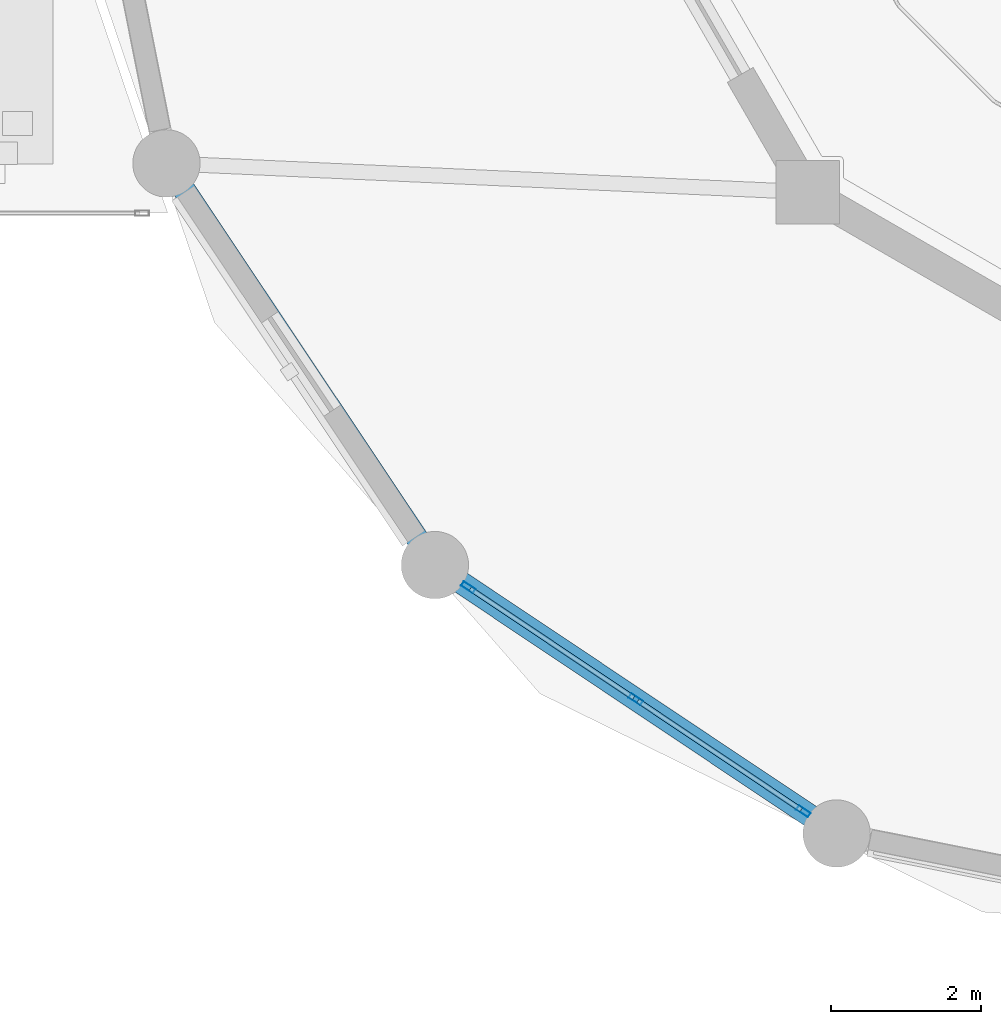
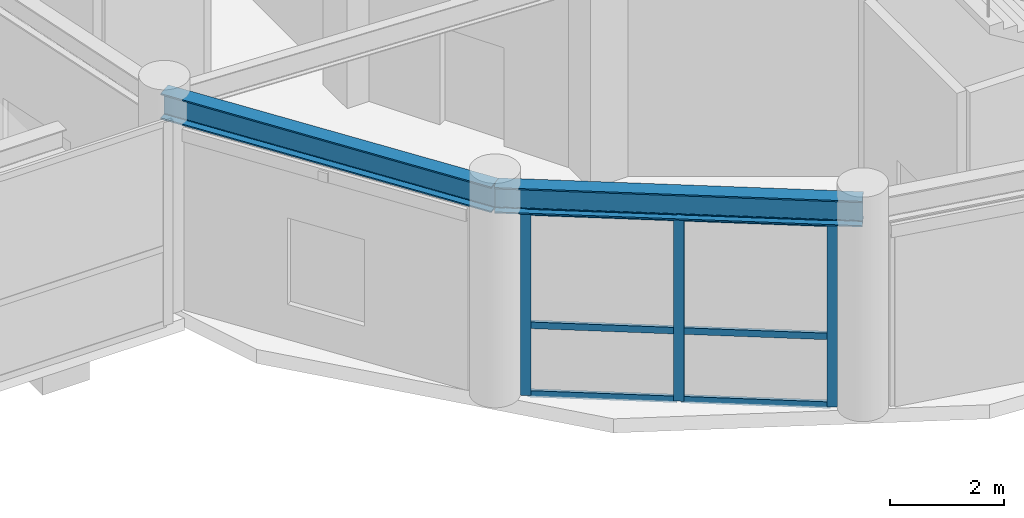
# One storey, part 19 of 44: 9 members, 2 beams, 1 element without a shape of its own.
"""IFC4 building model written with IfcOpenShell, lengths in metres."""

from ifc_helpers import new_model, si_unit, derived_unit, direction, frame, origin, origin_2d, place, context, subcontext, project, spatial, hollow_rectangle, i_section, extrude, source, transform, mapped, material, layer, layer_set, material_profile, profile_set, type_object, element, aggregate, save


model = new_model("IFC4")

# Units and contexts
model_context = context("Model", 3, precision=1e-05, world=origin(), true_north=direction((0.0, 1.0)))
body_context = subcontext(model_context, "Body", "Model", "MODEL_VIEW")
ifc_project = project(units=[si_unit("LENGTHUNIT", "METRE"), si_unit("AREAUNIT", "SQUARE_METRE"), si_unit("VOLUMEUNIT", "CUBIC_METRE"), si_unit("PLANEANGLEUNIT", "RADIAN"), si_unit("MASSUNIT", "GRAM", prefix="KILO"), derived_unit("THERMALTRANSMITTANCEUNIT", [(si_unit("POWERUNIT", "WATT"), 1), (si_unit("LENGTHUNIT", "METRE"), -2), (si_unit("THERMODYNAMICTEMPERATUREUNIT", "KELVIN"), -1)])], contexts=[model_context])

# Site, building, storey
site_placement = place(None, origin())
site = spatial("IfcSite", under=ifc_project, at=site_placement, CompositionType="ELEMENT")
building_placement = place(site_placement, origin())
building = spatial("IfcBuilding", under=site, at=building_placement, Name="Korsvarv Bourse and Concert Hall", CompositionType="ELEMENT")
storey_placement = place(building_placement, frame((0.0, 0.0, 9.60009765625)))
storey = spatial("IfcBuildingStorey", under=building, at=storey_placement, Name="L02", CompositionType="ELEMENT", Elevation=9.60009765625)

# Beams
ifc_material_1 = material(Name="Steel S355", Category="steel")
ifc_material_profile_1 = material_profile(ifc_material_1, i_section(OverallWidth=0.300048828125, OverallDepth=0.550048828125, WebThickness=0.014892578125, FlangeThickness=0.029052734375, FilletRadius=0.02392578125, at=origin_2d()), Name="HEB 550")
ifc_profile_set_1 = profile_set([ifc_material_profile_1], Name="Steel S355")
beam_type = type_object("IfcBeamType", Name="BM-HEB550", PredefinedType="BEAM", material=ifc_profile_set_1)
shared_shape_1 = source(origin(), body_context, "Body", "SweptSolid", [
    extrude(i_section(OverallWidth=0.300048828125, OverallDepth=0.550048828125, WebThickness=0.014892578125, FlangeThickness=0.029052734375, FilletRadius=0.02392578125, at=origin_2d()), origin(), (0.0, 0.0, 1.0), 6.45751953125),
])
for number, where, z_axis, x_axis, name in (
    (1, (91.509765625, 29.66650390625, 4.224853515625), (0.55558109052, -0.83146235745, 0.0), (0.83146235745, 0.55558109052, 0.0), "L02 beam B-06"),
    (2, (95.097412109375, 24.29736328125, 4.224853515625), (0.83146235745, -0.55558109052, 0.0), (0.55558109052, 0.83146235745, 0.0), "L02 beam B-06"),
):
    element("IfcBeam", number, at=place(storey_placement, frame(where, z_axis=z_axis, x_axis=x_axis)), inside=storey, type_object=beam_type, Name=name, PredefinedType="BEAM", context=body_context, shape_type="MappedRepresentation", body=[
        mapped(shared_shape_1, transform((0.0, 0.0, 0.0), scale=1.0)),
    ])

# Curtain wall, members
ifc_material_2 = material(Name="Anodised aluminium and triple low-E glazing", Category="glass")
ifc_layer = layer(ifc_material_2, 0.22998046875)
ifc_layer_set = layer_set([ifc_layer], Name="Anodised aluminium and triple low-E glazing")
curtain_wall_type = type_object("IfcCurtainWallType", Name="CW-SYS-6", PredefinedType="NOTDEFINED", material=ifc_layer_set)
curtain_wall_placement = place(storey_placement, origin())
curtain_wall = element("IfcCurtainWall", 3, at=curtain_wall_placement, inside=storey, type_object=curtain_wall_type, Name="L02 CW6 curtain wall CW-L02-CH11", PredefinedType="NOTDEFINED")
ifc_material_3 = material(Name="Extruded aluminium EN AW-6063 T66", Category="aluminium")
ifc_material_profile_2 = material_profile(ifc_material_3, hollow_rectangle(XDim=0.06494140625, YDim=0.139892578125, WallThickness=0.00390625, at=origin_2d()), Name="ALU-T 65x140")
ifc_profile_set_2 = profile_set([ifc_material_profile_2], Name="Extruded aluminium EN AW-6063 T66")
member_type_1 = type_object("IfcMemberType", Name="CWT-140", PredefinedType="USERDEFINED", material=ifc_profile_set_2)
shared_shape_2 = source(origin(), body_context, "Body", "SweptSolid", [
    extrude(hollow_rectangle(XDim=0.06494140625, YDim=0.139892578125, WallThickness=0.00390625, at=origin_2d()), origin(), (0.0, 0.0, 1.0), 2.62353515625),
])
member_1_placement = place(storey_placement, frame((95.571533203125, 23.980712890625, 0.032470703125), z_axis=(0.831434196411, -0.55562323299, 0.0), x_axis=(0.55562323299, 0.831434196411, 0.0)))
member_1 = element("IfcMember", 4, at=member_1_placement, type_object=member_type_1, Name="CW6 transom 1.1", ObjectType="TRANSOM", PredefinedType="USERDEFINED", context=body_context, shape_type="MappedRepresentation", body=[
    mapped(shared_shape_2, transform((0.0, 0.0, 0.0), scale=1.0)),
])
member_2_placement = place(storey_placement, frame((95.571533203125, 23.980712890625, 1.5009765625), z_axis=(0.831434196411, -0.55562323299, 0.0), x_axis=(0.55562323299, 0.831434196411, 0.0)))
member_2 = element("IfcMember", 5, at=member_2_placement, type_object=member_type_1, Name="CW6 transom 1.2", ObjectType="TRANSOM", PredefinedType="USERDEFINED", context=body_context, shape_type="MappedRepresentation", body=[
    mapped(shared_shape_2, transform((0.0, 0.0, 0.0), scale=1.0)),
])
member_3_placement = place(storey_placement, frame((95.571533203125, 23.980712890625, 3.91748046875), z_axis=(0.831434196411, -0.55562323299, 0.0), x_axis=(0.55562323299, 0.831434196411, 0.0)))
member_3 = element("IfcMember", 6, at=member_3_placement, type_object=member_type_1, Name="CW6 transom 1.3", ObjectType="TRANSOM", PredefinedType="USERDEFINED", context=body_context, shape_type="MappedRepresentation", body=[
    mapped(shared_shape_2, transform((0.0, 0.0, 0.0), scale=1.0)),
])
member_4_placement = place(storey_placement, frame((97.81103515625, 22.484130859375, 0.032470703125), z_axis=(0.831477183587, -0.555558901624, 0.0), x_axis=(0.555558901624, 0.831477183587, 0.0)))
member_4 = element("IfcMember", 7, at=member_4_placement, type_object=member_type_1, Name="CW6 transom 2.1", ObjectType="TRANSOM", PredefinedType="USERDEFINED", context=body_context, shape_type="MappedRepresentation", body=[
    mapped(shared_shape_2, transform((0.0, 0.0, 0.0), scale=1.0)),
])
member_5_placement = place(storey_placement, frame((97.81103515625, 22.484130859375, 1.5009765625), z_axis=(0.831477183587, -0.555558901624, 0.0), x_axis=(0.555558901624, 0.831477183587, 0.0)))
member_5 = element("IfcMember", 8, at=member_5_placement, type_object=member_type_1, Name="CW6 transom 2.2", ObjectType="TRANSOM", PredefinedType="USERDEFINED", context=body_context, shape_type="MappedRepresentation", body=[
    mapped(shared_shape_2, transform((0.0, 0.0, 0.0), scale=1.0)),
])
member_6_placement = place(storey_placement, frame((97.81103515625, 22.484130859375, 3.91748046875), z_axis=(0.831477183587, -0.555558901624, 0.0), x_axis=(0.555558901624, 0.831477183587, 0.0)))
member_6 = element("IfcMember", 9, at=member_6_placement, type_object=member_type_1, Name="CW6 transom 2.3", ObjectType="TRANSOM", PredefinedType="USERDEFINED", context=body_context, shape_type="MappedRepresentation", body=[
    mapped(shared_shape_2, transform((0.0, 0.0, 0.0), scale=1.0)),
])
ifc_material_profile_3 = material_profile(ifc_material_3, hollow_rectangle(XDim=0.070068359375, YDim=0.18994140625, WallThickness=0.0048828125, at=origin_2d()), Name="ALU-M 70x190")
ifc_profile_set_3 = profile_set([ifc_material_profile_3], Name="Extruded aluminium EN AW-6063 T66")
member_type_2 = type_object("IfcMemberType", Name="CWM-190", PredefinedType="MULLION", material=ifc_profile_set_3)
shared_shape_3 = source(origin(), body_context, "Body", "SweptSolid", [
    extrude(hollow_rectangle(XDim=0.070068359375, YDim=0.18994140625, WallThickness=0.0048828125, at=origin_2d()), origin(), (0.0, 0.0, 1.0), 3.949951171875),
])
member_7_placement = place(storey_placement, frame((95.54248046875, 24.0, 0.0), z_axis=(0.0, 0.0, 1.0), x_axis=(0.555571024599, 0.831469083386, 0.0)))
member_7 = element("IfcMember", 10, at=member_7_placement, type_object=member_type_2, Name="CW6 mullion 1", PredefinedType="MULLION", context=body_context, shape_type="MappedRepresentation", body=[
    mapped(shared_shape_3, transform((0.0, 0.0, 0.0), scale=1.0)),
])
member_8_placement = place(storey_placement, frame((97.781982421875, 22.503662109375, 0.0), z_axis=(0.0, 0.0, 1.0), x_axis=(0.555571024599, 0.831469083386, 0.0)))
member_8 = element("IfcMember", 11, at=member_8_placement, type_object=member_type_2, Name="CW6 mullion 2", PredefinedType="MULLION", context=body_context, shape_type="MappedRepresentation", body=[
    mapped(shared_shape_3, transform((0.0, 0.0, 0.0), scale=1.0)),
])
member_9_placement = place(storey_placement, frame((100.021484375, 21.007080078125, 0.0), z_axis=(0.0, 0.0, 1.0), x_axis=(0.555571024599, 0.831469083386, 0.0)))
member_9 = element("IfcMember", 12, at=member_9_placement, type_object=member_type_2, Name="CW6 mullion 3", PredefinedType="MULLION", context=body_context, shape_type="MappedRepresentation", body=[
    mapped(shared_shape_3, transform((0.0, 0.0, 0.0), scale=1.0)),
])
aggregate(curtain_wall, [member_7, member_8, member_9, member_1, member_2, member_3, member_4, member_5, member_6])

save(model, "model.ifc")
